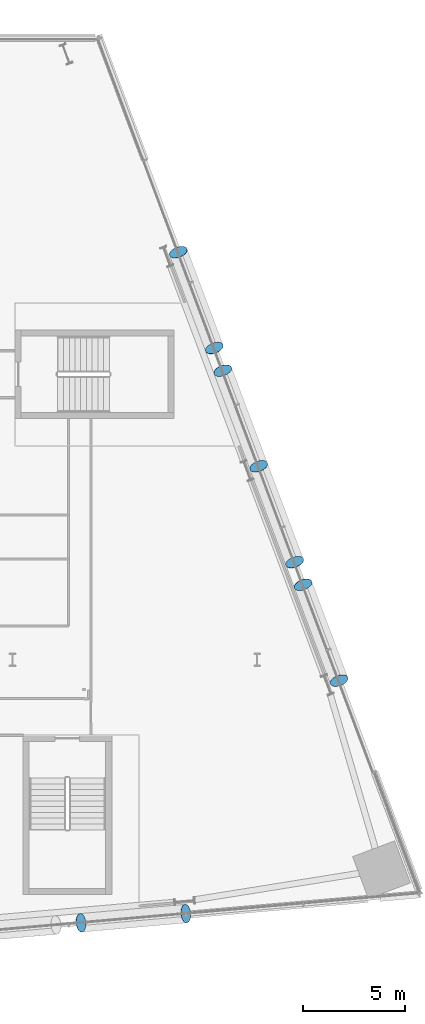
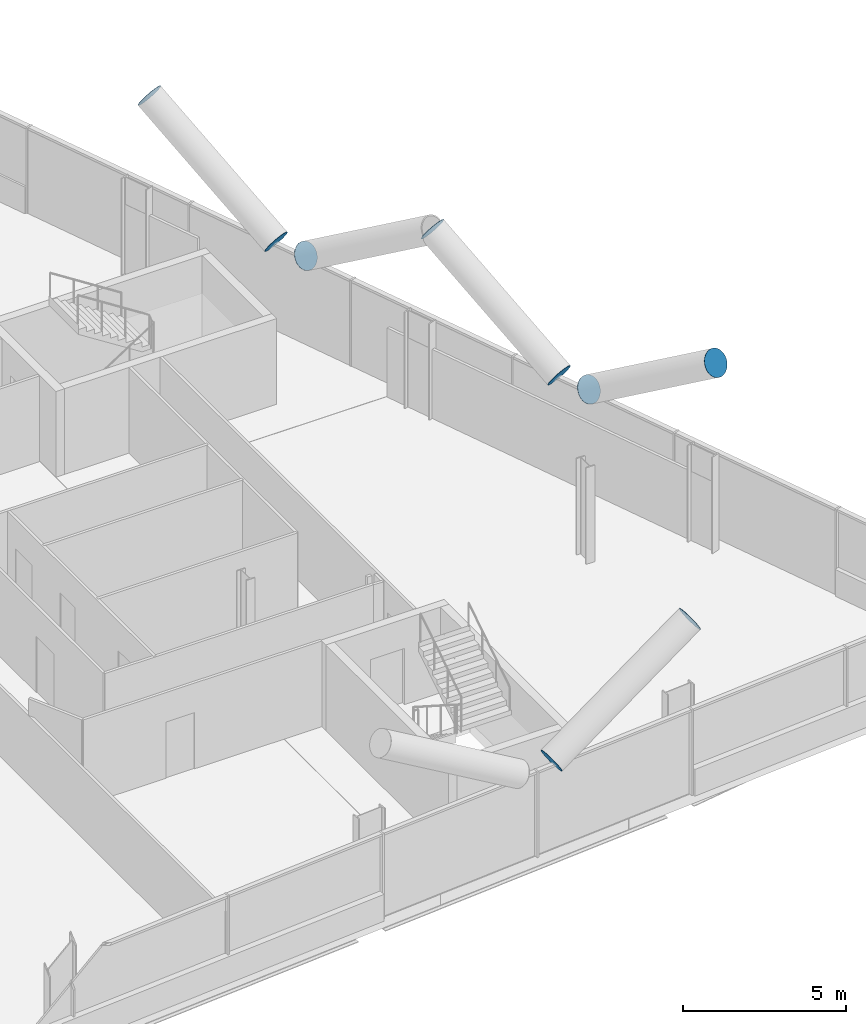
# One storey, part 21 of 25: 9 discrete accessories.
"""IFC4 building model written with IfcOpenShell, lengths in metres."""

from ifc_helpers import new_model, si_unit, direction, frame, origin, origin_2d, place, context, subcontext, project, spatial, circle, extrude, material, material_profile, profile_set, type_object, element, save


model = new_model("IFC4")

# Units and contexts
model_context = context("Model", 3, precision=1e-05, world=origin(), true_north=direction((0.0, 1.0)))
body_context = subcontext(model_context, "Body", "Model", "MODEL_VIEW")
ifc_project = project(units=[si_unit("LENGTHUNIT", "METRE"), si_unit("AREAUNIT", "SQUARE_METRE"), si_unit("VOLUMEUNIT", "CUBIC_METRE"), si_unit("PLANEANGLEUNIT", "RADIAN"), si_unit("MASSUNIT", "GRAM", prefix="KILO")], contexts=[model_context])

# Site, building, storey
site_placement = place(None, origin())
site = spatial("IfcSite", under=ifc_project, at=site_placement, CompositionType="ELEMENT")
building_placement = place(site_placement, origin())
building = spatial("IfcBuilding", under=site, at=building_placement, Name="Wharfspan Tower", CompositionType="ELEMENT")
storey_placement = place(building_placement, frame((0.0, 0.0, 70.300049)))
storey = spatial("IfcBuildingStorey", under=building, at=storey_placement, Name="L14", CompositionType="ELEMENT", Elevation=70.300049)

# Discrete accessories
ifc_material = material(Name="Steel S460NH", Category="steel")
ifc_material_profile = material_profile(ifc_material, circle(Radius=0.457031, at=origin_2d()))
ifc_profile_set = profile_set([ifc_material_profile], Name="Steel S460NH")
discrete_accessory_type = type_object("IfcDiscreteAccessoryType", Name="End plate CHS 914x40", PredefinedType="BRACKET", material=ifc_profile_set)
for number, where, z_axis, x_axis, name in (
    (1, (75.352783, -1.401123, 3.280518), (0.855186, 0.073302, 0.513112), (-0.085402, 0.996345, 1e-06), "End plate CHS 914x40"),
    (2, (80.495117, -0.951416, 6.5), (0.855186, 0.073302, 0.513112), (-0.085402, 0.996345, 1e-06), "End plate CHS 914x40"),
    (3, (85.835938, 16.280762, 3.2771), (-0.295241, 0.787309, 0.541275), (-0.936333, -0.351125, 0.0), "End plate CHS 914x40"),
    (4, (84.073486, 20.980713, 6.5), (-0.295241, 0.787309, 0.541275), (-0.936333, -0.351125, 0.0), "End plate CHS 914x40"),
    (5, (86.248535, 15.180664, 3.2771), (0.295241, -0.787309, 0.541275), (0.936333, 0.351125, 0.0), "End plate CHS 914x40"),
    (6, (88.010986, 10.480713, 6.5), (0.295241, -0.787309, 0.541275), (0.936333, 0.351125, 0.0), "End plate CHS 914x40"),
    (7, (81.898438, 26.780762, 3.2771), (-0.295241, 0.787309, 0.541275), (-0.936333, -0.351125, 0.0), "End plate CHS 914x40"),
    (8, (80.135986, 31.480713, 6.5), (-0.295241, 0.787309, 0.541275), (-0.936333, -0.351125, 0.0), "End plate CHS 914x40"),
    (9, (82.311035, 25.680664, 3.2771), (0.295241, -0.787309, 0.541275), (0.936333, 0.351125, 0.0), "End plate CHS 914x40"),
):
    element("IfcDiscreteAccessory", number, at=place(storey_placement, frame(where, z_axis=z_axis, x_axis=x_axis)), inside=storey, type_object=discrete_accessory_type, Name=name, PredefinedType="BRACKET", context=body_context, shape_type="SweptSolid", body=[
        extrude(circle(Radius=0.457031, at=origin_2d()), origin(), (0.0, 0.0, 1.0), 0.01001),
    ])

save(model, "model.ifc")
